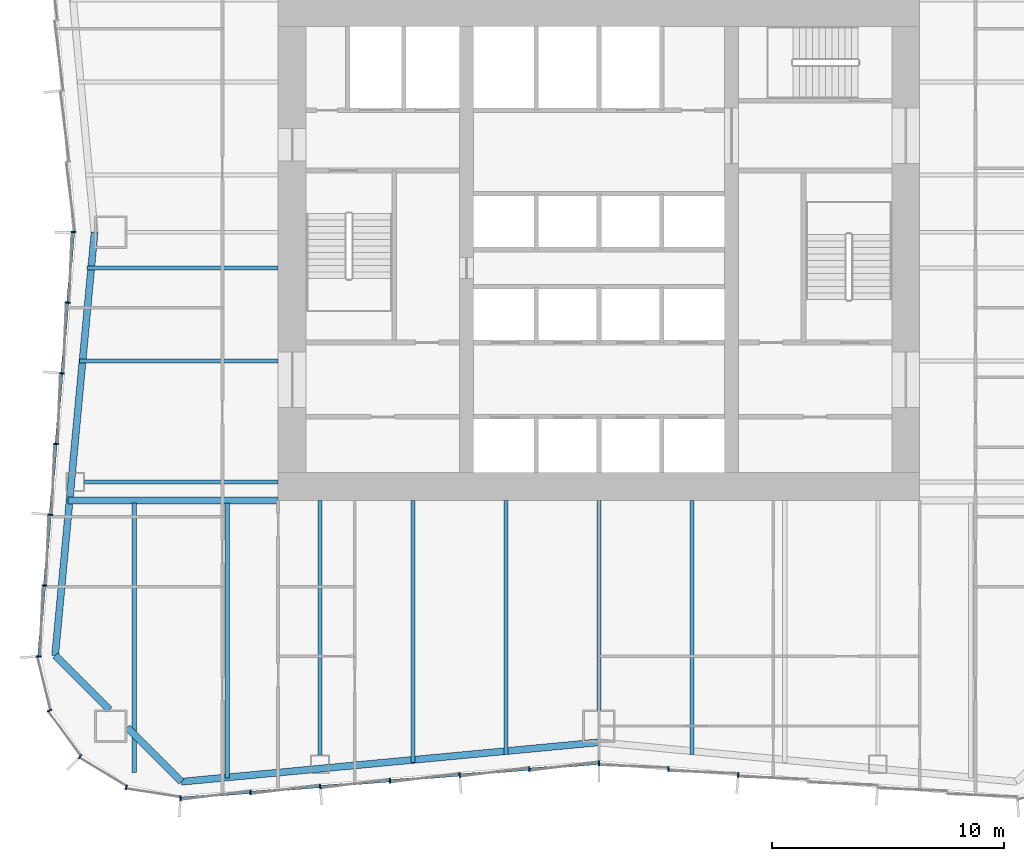
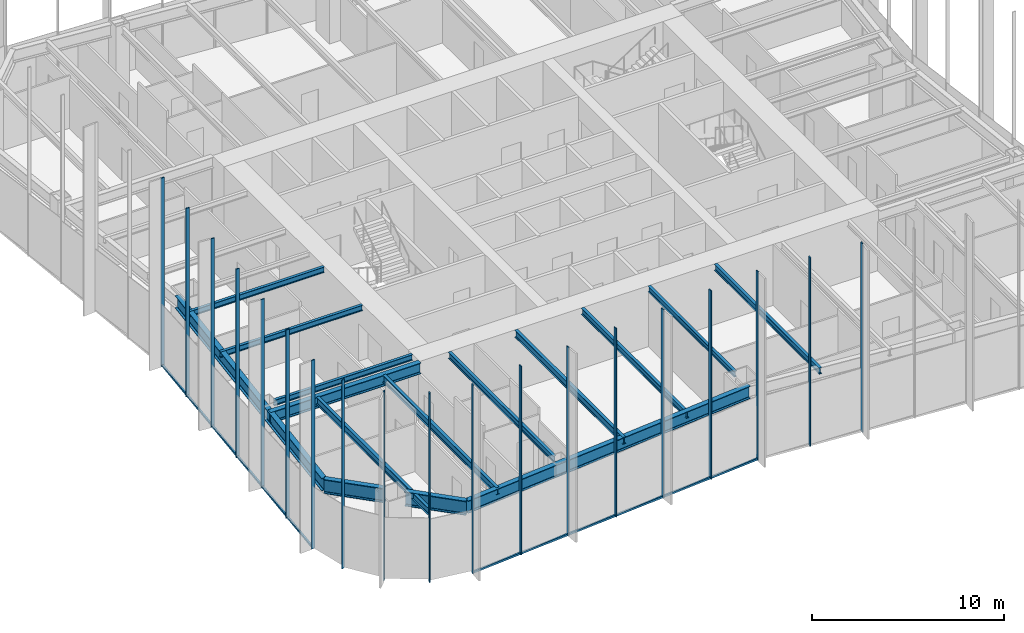
# One storey, part 2 of 13: 21 members, 15 beams, 3 elements without a shape of their own.
"""IFC4 building model written with IfcOpenShell, lengths in metres."""

from ifc_helpers import new_model, si_unit, direction, frame, origin, origin_2d, place, context, subcontext, project, spatial, rectangle, i_section, extrude, material, material_profile, profile_set, type_object, element, aggregate, save


model = new_model("IFC4")

# Units and contexts
model_context = context("Model", 3, precision=1e-05, world=origin(), true_north=direction((0.0, 1.0)))
body_context = subcontext(model_context, "Body", "Model", "MODEL_VIEW")
ifc_project = project(units=[si_unit("LENGTHUNIT", "METRE"), si_unit("AREAUNIT", "SQUARE_METRE"), si_unit("VOLUMEUNIT", "CUBIC_METRE"), si_unit("PLANEANGLEUNIT", "RADIAN"), si_unit("MASSUNIT", "GRAM", prefix="KILO")], contexts=[model_context])

# Site, building, storey
site_placement = place(None, origin())
site = spatial("IfcSite", under=ifc_project, at=site_placement, CompositionType="ELEMENT")
building_placement = place(site_placement, origin())
building = spatial("IfcBuilding", under=site, at=building_placement, Name="Verdant Reach Tower", CompositionType="ELEMENT")
storey_placement = place(building_placement, frame((0.0, 0.0, 82.0)))
storey = spatial("IfcBuildingStorey", under=building, at=storey_placement, Name="L18", CompositionType="ELEMENT", Elevation=82.0)

# Curtain wall, members
ifc_material_1 = material(Name="Anodised aluminium", Category="aluminium")
curtain_wall_type = type_object("IfcCurtainWallType", Name="EN-CW SYSTEM Z1", PredefinedType="NOTDEFINED", material=ifc_material_1)
curtain_wall_1_placement = place(storey_placement, origin())
curtain_wall_1 = element("IfcCurtainWall", 1, at=curtain_wall_1_placement, inside=storey, type_object=curtain_wall_type, Name="Curtain wall west, L18", PredefinedType="NOTDEFINED")
ifc_material_profile_1 = material_profile(ifc_material_1, rectangle(XDim=0.2060546875, YDim=0.06201171875, at=origin_2d()), Name="Mullion 62x206")
ifc_profile_set_1 = profile_set([ifc_material_profile_1], Name="Anodised aluminium")
member_type_1 = type_object("IfcMemberType", Name="EN-MULLION Z1", PredefinedType="MULLION", material=ifc_profile_set_1)
member_1_placement = place(storey_placement, frame((-22.60302734375, 28.75, -0.35009765625), z_axis=(0.0, 0.0, 1.0), x_axis=(-1.0, 0.0, 0.0)))
member_1 = element("IfcMember", 2, at=member_1_placement, type_object=member_type_1, Name="Mullion west face part 2 1, L18", PredefinedType="MULLION", context=body_context, shape_type="SweptSolid", body=[
    extrude(rectangle(XDim=0.2060546875, YDim=0.06201171875, at=origin_2d()), origin(), (0.0, 0.0, 1.0), 12.0),
])
member_2_placement = place(storey_placement, frame((-22.8525390625, 25.716796875, -0.35009765625), z_axis=(0.0, 0.0, 1.0), x_axis=(-0.996639273542, 0.081915556724, 0.0)))
member_2 = element("IfcMember", 3, at=member_2_placement, type_object=member_type_1, Name="Mullion west face part 2 2, L18", PredefinedType="MULLION", context=body_context, shape_type="SweptSolid", body=[
    extrude(rectangle(XDim=0.2060546875, YDim=0.06201171875, at=origin_2d()), origin(), (0.0, 0.0, 1.0), 12.0),
])
member_3_placement = place(storey_placement, frame((-23.1025390625, 22.675048828125, -0.35009765625), z_axis=(0.0, 0.0, 1.0), x_axis=(-0.996639273542, 0.081915556724, 0.0)))
member_3 = element("IfcMember", 4, at=member_3_placement, type_object=member_type_1, Name="Mullion west face part 2 3, L18", PredefinedType="MULLION", context=body_context, shape_type="SweptSolid", body=[
    extrude(rectangle(XDim=0.2060546875, YDim=0.06201171875, at=origin_2d()), origin(), (0.0, 0.0, 1.0), 12.0),
])
member_4_placement = place(storey_placement, frame((-23.3525390625, 19.633544921875, -0.35009765625), z_axis=(0.0, 0.0, 1.0), x_axis=(-0.996639273542, 0.081915556724, 0.0)))
member_4 = element("IfcMember", 5, at=member_4_placement, type_object=member_type_1, Name="Mullion west face part 2 4, L18", PredefinedType="MULLION", context=body_context, shape_type="SweptSolid", body=[
    extrude(rectangle(XDim=0.2060546875, YDim=0.06201171875, at=origin_2d()), origin(), (0.0, 0.0, 1.0), 12.0),
])
member_5_placement = place(storey_placement, frame((-23.6025390625, 16.591796875, -0.35009765625), z_axis=(0.0, 0.0, 1.0), x_axis=(-0.996639273542, 0.081915556724, 0.0)))
member_5 = element("IfcMember", 6, at=member_5_placement, type_object=member_type_1, Name="Mullion west face part 2 5, L18", PredefinedType="MULLION", context=body_context, shape_type="SweptSolid", body=[
    extrude(rectangle(XDim=0.2060546875, YDim=0.06201171875, at=origin_2d()), origin(), (0.0, 0.0, 1.0), 12.0),
])
member_6_placement = place(storey_placement, frame((-23.8525390625, 13.550048828125, -0.35009765625), z_axis=(0.0, 0.0, 1.0), x_axis=(-0.996639273542, 0.081915556724, 0.0)))
member_6 = element("IfcMember", 7, at=member_6_placement, type_object=member_type_1, Name="Mullion west face part 2 6, L18", PredefinedType="MULLION", context=body_context, shape_type="SweptSolid", body=[
    extrude(rectangle(XDim=0.2060546875, YDim=0.06201171875, at=origin_2d()), origin(), (0.0, 0.0, 1.0), 12.0),
])

curtain_wall_2_placement = place(storey_placement, origin())
curtain_wall_2 = element("IfcCurtainWall", 8, at=curtain_wall_2_placement, inside=storey, type_object=curtain_wall_type, Name="Curtain wall south-west corner, L18", PredefinedType="NOTDEFINED")
member_7_placement = place(storey_placement, frame((-24.102783203125, 10.494140625, -0.35009765625), z_axis=(0.0, 0.0, 1.0), x_axis=(-0.998366452275, -0.057135164055, 0.0)))
member_7 = element("IfcMember", 9, at=member_7_placement, type_object=member_type_1, Name="Mullion south-west corner 1, L18", PredefinedType="MULLION", context=body_context, shape_type="SweptSolid", body=[
    extrude(rectangle(XDim=0.2060546875, YDim=0.06201171875, at=origin_2d()), origin(), (0.0, 0.0, 1.0), 12.0),
])
member_8_placement = place(storey_placement, frame((-23.638427734375, 8.16455078125, -0.35009765625), z_axis=(0.0, 0.0, 1.0), x_axis=(-0.923875215753, -0.382693853776, 0.0)))
member_8 = element("IfcMember", 10, at=member_8_placement, type_object=member_type_1, Name="Mullion south-west corner 2, L18", PredefinedType="MULLION", context=body_context, shape_type="SweptSolid", body=[
    extrude(rectangle(XDim=0.2060546875, YDim=0.06201171875, at=origin_2d()), origin(), (0.0, 0.0, 1.0), 12.0),
])
member_9_placement = place(storey_placement, frame((-22.3154296875, 6.1845703125, -0.35009765625), z_axis=(0.0, 0.0, 1.0), x_axis=(-0.707106781187, -0.707106781187, 0.0)))
member_9 = element("IfcMember", 11, at=member_9_placement, type_object=member_type_1, Name="Mullion south-west corner 3, L18", PredefinedType="MULLION", context=body_context, shape_type="SweptSolid", body=[
    extrude(rectangle(XDim=0.2060546875, YDim=0.06201171875, at=origin_2d()), origin(), (0.0, 0.0, 1.0), 12.0),
])
member_10_placement = place(storey_placement, frame((-20.33544921875, 4.861572265625, -0.35009765625), z_axis=(0.0, 0.0, 1.0), x_axis=(-0.382693853776, -0.923875215753, 0.0)))
member_10 = element("IfcMember", 12, at=member_10_placement, type_object=member_type_1, Name="Mullion south-west corner 4, L18", PredefinedType="MULLION", context=body_context, shape_type="SweptSolid", body=[
    extrude(rectangle(XDim=0.2060546875, YDim=0.06201171875, at=origin_2d()), origin(), (0.0, 0.0, 1.0), 12.0),
])
aggregate(curtain_wall_2, [member_7, member_8, member_9, member_10])

curtain_wall_3_placement = place(storey_placement, origin())
curtain_wall_3 = element("IfcCurtainWall", 13, at=curtain_wall_3_placement, inside=storey, type_object=curtain_wall_type, Name="Curtain wall south, L18", PredefinedType="NOTDEFINED")
member_11_placement = place(storey_placement, frame((-18.005859375, 4.397216796875, -0.35009765625), z_axis=(0.0, 0.0, 1.0), x_axis=(-0.056569187765, -0.998398681387, 0.0)))
member_11 = element("IfcMember", 14, at=member_11_placement, type_object=member_type_1, Name="Mullion south face part 1 1, L18", PredefinedType="MULLION", context=body_context, shape_type="SweptSolid", body=[
    extrude(rectangle(XDim=0.2060546875, YDim=0.06201171875, at=origin_2d()), origin(), (0.0, 0.0, 1.0), 12.0),
])
member_12_placement = place(storey_placement, frame((-14.991455078125, 4.6474609375, -0.35009765625), z_axis=(0.0, 0.0, 1.0), x_axis=(0.083045479859, -0.996545758244, 0.0)))
member_12 = element("IfcMember", 15, at=member_12_placement, type_object=member_type_1, Name="Mullion south face part 1 2, L18", PredefinedType="MULLION", context=body_context, shape_type="SweptSolid", body=[
    extrude(rectangle(XDim=0.2060546875, YDim=0.06201171875, at=origin_2d()), origin(), (0.0, 0.0, 1.0), 12.0),
])
member_13_placement = place(storey_placement, frame((-11.991455078125, 4.8974609375, -0.35009765625), z_axis=(0.0, 0.0, 1.0), x_axis=(0.083045479859, -0.996545758244, 0.0)))
member_13 = element("IfcMember", 16, at=member_13_placement, type_object=member_type_1, Name="Mullion south face part 1 3, L18", PredefinedType="MULLION", context=body_context, shape_type="SweptSolid", body=[
    extrude(rectangle(XDim=0.2060546875, YDim=0.06201171875, at=origin_2d()), origin(), (0.0, 0.0, 1.0), 12.0),
])
member_14_placement = place(storey_placement, frame((-8.991455078125, 5.1474609375, -0.35009765625), z_axis=(0.0, 0.0, 1.0), x_axis=(0.083045479859, -0.996545758244, 0.0)))
member_14 = element("IfcMember", 17, at=member_14_placement, type_object=member_type_1, Name="Mullion south face part 1 4, L18", PredefinedType="MULLION", context=body_context, shape_type="SweptSolid", body=[
    extrude(rectangle(XDim=0.2060546875, YDim=0.06201171875, at=origin_2d()), origin(), (0.0, 0.0, 1.0), 12.0),
])
member_15_placement = place(storey_placement, frame((-5.991455078125, 5.3974609375, -0.35009765625), z_axis=(0.0, 0.0, 1.0), x_axis=(0.083045479859, -0.996545758244, 0.0)))
member_15 = element("IfcMember", 18, at=member_15_placement, type_object=member_type_1, Name="Mullion south face part 1 5, L18", PredefinedType="MULLION", context=body_context, shape_type="SweptSolid", body=[
    extrude(rectangle(XDim=0.2060546875, YDim=0.06201171875, at=origin_2d()), origin(), (0.0, 0.0, 1.0), 12.0),
])
member_16_placement = place(storey_placement, frame((-2.991455078125, 5.6474609375, -0.35009765625), z_axis=(0.0, 0.0, 1.0), x_axis=(0.083045479859, -0.996545758244, 0.0)))
member_16 = element("IfcMember", 19, at=member_16_placement, type_object=member_type_1, Name="Mullion south face part 1 6, L18", PredefinedType="MULLION", context=body_context, shape_type="SweptSolid", body=[
    extrude(rectangle(XDim=0.2060546875, YDim=0.06201171875, at=origin_2d()), origin(), (0.0, 0.0, 1.0), 12.0),
])
member_17_placement = place(storey_placement, frame((0.0, 5.89697265625, -0.35009765625), z_axis=(0.0, 0.0, 1.0), x_axis=(0.0, -1.0, 0.0)))
member_17 = element("IfcMember", 20, at=member_17_placement, type_object=member_type_1, Name="Mullion south face part 2 1, L18", PredefinedType="MULLION", context=body_context, shape_type="SweptSolid", body=[
    extrude(rectangle(XDim=0.2060546875, YDim=0.06201171875, at=origin_2d()), origin(), (0.0, 0.0, 1.0), 12.0),
])
member_18_placement = place(storey_placement, frame((2.991455078125, 5.6474609375, -0.35009765625), z_axis=(0.0, 0.0, 1.0), x_axis=(-0.083045479859, -0.996545758244, 0.0)))
member_18 = element("IfcMember", 21, at=member_18_placement, type_object=member_type_1, Name="Mullion south face part 2 2, L18", PredefinedType="MULLION", context=body_context, shape_type="SweptSolid", body=[
    extrude(rectangle(XDim=0.2060546875, YDim=0.06201171875, at=origin_2d()), origin(), (0.0, 0.0, 1.0), 12.0),
])
member_19_placement = place(storey_placement, frame((5.991455078125, 5.3974609375, -0.35009765625), z_axis=(0.0, 0.0, 1.0), x_axis=(-0.083045479859, -0.996545758244, 0.0)))
member_19 = element("IfcMember", 22, at=member_19_placement, type_object=member_type_1, Name="Mullion south face part 2 3, L18", PredefinedType="MULLION", context=body_context, shape_type="SweptSolid", body=[
    extrude(rectangle(XDim=0.2060546875, YDim=0.06201171875, at=origin_2d()), origin(), (0.0, 0.0, 1.0), 12.0),
])

# Member
ifc_material_profile_2 = material_profile(ifc_material_1, rectangle(XDim=0.10009765625, YDim=0.1220703125, at=origin_2d()), Name="Transom 122x100")
ifc_profile_set_2 = profile_set([ifc_material_profile_2], Name="Anodised aluminium")
member_type_2 = type_object("IfcMemberType", Name="EN-TRANSOM Z1", PredefinedType="USERDEFINED", material=ifc_profile_set_2)
member_20_placement = place(storey_placement, frame((-22.60546875, 28.718994140625, -0.2890625), z_axis=(-0.081886623329, -0.996641651207, 0.0), x_axis=(0.996641651207, -0.081886623329, 0.0)))
member_20 = element("IfcMember", 23, at=member_20_placement, type_object=member_type_2, Name="Transom west face part 2 1.1, L18", ObjectType="TRANSOM", PredefinedType="USERDEFINED", context=body_context, shape_type="SweptSolid", body=[
    extrude(rectangle(XDim=0.10009765625, YDim=0.1220703125, at=origin_2d()), origin(), (0.0, 0.0, 1.0), 18.25537109375),
])

aggregate(curtain_wall_1, [member_1, member_2, member_3, member_4, member_5, member_6, member_20])

member_21_placement = place(storey_placement, frame((-17.974853515625, 4.399658203125, -0.2890625), z_axis=(0.996547815143, 0.083020793384, 0.0), x_axis=(-0.083020793384, 0.996547815143, 0.0)))
member_21 = element("IfcMember", 24, at=member_21_placement, type_object=member_type_2, Name="Transom south face part 1 1.1, L18", ObjectType="TRANSOM", PredefinedType="USERDEFINED", context=body_context, shape_type="SweptSolid", body=[
    extrude(rectangle(XDim=0.10009765625, YDim=0.1220703125, at=origin_2d()), origin(), (0.0, 0.0, 1.0), 18.006103515625),
])

aggregate(curtain_wall_3, [member_11, member_12, member_13, member_14, member_15, member_16, member_21, member_17, member_18, member_19])

# Beams
ifc_material_2 = material(Name="Steel S355", Category="steel")
ifc_material_profile_3 = material_profile(ifc_material_2, i_section(OverallWidth=0.300048828125, OverallDepth=0.699951171875, WebThickness=0.01708984375, FlangeThickness=0.031982421875, FilletRadius=0.027099609375, at=origin_2d()), Name="HEB 700")
ifc_profile_set_3 = profile_set([ifc_material_profile_3], Name="Steel S355")
beam_type_1 = type_object("IfcBeamType", Name="ST-BEAM-HEB700", PredefinedType="BEAM", material=ifc_profile_set_3)
beam_1_placement = place(storey_placement, frame((-13.800048828125, 17.199951171875, 3.52001953125), z_axis=(-1.0, 0.0, 0.0), x_axis=(0.0, -1.0, 0.0)))
element("IfcBeam", 25, at=beam_1_placement, inside=storey, type_object=beam_type_1, Name="Trimmer beam, L18", PredefinedType="BEAM", context=body_context, shape_type="SweptSolid", body=[
    extrude(i_section(OverallWidth=0.300048828125, OverallDepth=0.699951171875, WebThickness=0.01708984375, FlangeThickness=0.031982421875, FilletRadius=0.027099609375, at=origin_2d()), origin(), (0.0, 0.0, 1.0), 9.04736328125),
])
ifc_material_profile_4 = material_profile(ifc_material_2, i_section(OverallWidth=0.169921875, OverallDepth=0.360107421875, WebThickness=0.008056640625, FlangeThickness=0.0126953125, FilletRadius=0.01806640625, at=origin_2d()), Name="IPE 360")
ifc_profile_set_4 = profile_set([ifc_material_profile_4], Name="Steel S355")
beam_type_2 = type_object("IfcBeamType", Name="ST-JOIST-IPE360", PredefinedType="JOIST", material=ifc_profile_set_4)
beam_2_placement = place(storey_placement, frame((0.0, 17.199951171875, 3.68994140625), z_axis=(0.0, -1.0, 0.0), x_axis=(1.0, 0.0, 0.0)))
element("IfcBeam", 26, at=beam_2_placement, inside=storey, type_object=beam_type_2, Name="Floor joist, L18", PredefinedType="JOIST", context=body_context, shape_type="SweptSolid", body=[
    extrude(i_section(OverallWidth=0.169921875, OverallDepth=0.360107421875, WebThickness=0.008056640625, FlangeThickness=0.0126953125, FilletRadius=0.01806640625, at=origin_2d()), origin(), (0.0, 0.0, 1.0), 9.0),
])
beam_3_placement = place(storey_placement, frame((-13.800048828125, 18.0, 3.68994140625), z_axis=(-1.0, 0.0, 0.0), x_axis=(0.0, -1.0, 0.0)))
element("IfcBeam", 27, at=beam_3_placement, inside=storey, type_object=beam_type_2, Name="Floor joist, L18", PredefinedType="JOIST", context=body_context, shape_type="SweptSolid", body=[
    extrude(i_section(OverallWidth=0.169921875, OverallDepth=0.360107421875, WebThickness=0.008056640625, FlangeThickness=0.0126953125, FilletRadius=0.01806640625, at=origin_2d()), origin(), (0.0, 0.0, 1.0), 8.33349609375),
])
beam_4_placement = place(storey_placement, frame((-13.800048828125, 23.199951171875, 3.68994140625), z_axis=(-1.0, 0.0, 0.0), x_axis=(0.0, -1.0, 0.0)))
element("IfcBeam", 28, at=beam_4_placement, inside=storey, type_object=beam_type_2, Name="Floor joist, L18", PredefinedType="JOIST", context=body_context, shape_type="SweptSolid", body=[
    extrude(i_section(OverallWidth=0.169921875, OverallDepth=0.360107421875, WebThickness=0.008056640625, FlangeThickness=0.0126953125, FilletRadius=0.01806640625, at=origin_2d()), origin(), (0.0, 0.0, 1.0), 8.553955078125),
])
beam_5_placement = place(storey_placement, frame((-13.800048828125, 27.199951171875, 3.68994140625), z_axis=(-1.0, 0.0, 0.0), x_axis=(0.0, -1.0, 0.0)))
element("IfcBeam", 29, at=beam_5_placement, inside=storey, type_object=beam_type_2, Name="Floor joist, L18", PredefinedType="JOIST", context=body_context, shape_type="SweptSolid", body=[
    extrude(i_section(OverallWidth=0.169921875, OverallDepth=0.360107421875, WebThickness=0.008056640625, FlangeThickness=0.0126953125, FilletRadius=0.01806640625, at=origin_2d()), origin(), (0.0, 0.0, 1.0), 8.225341796875),
])
ifc_material_profile_5 = material_profile(ifc_material_2, i_section(OverallWidth=0.179931640625, OverallDepth=0.39990234375, WebThickness=0.008544921875, FlangeThickness=0.013427734375, FilletRadius=0.02099609375, at=origin_2d()), Name="IPE 400")
ifc_profile_set_5 = profile_set([ifc_material_profile_5], Name="Steel S355")
beam_type_3 = type_object("IfcBeamType", Name="ST-JOIST-IPE400", PredefinedType="JOIST", material=ifc_profile_set_5)
beam_6_placement = place(storey_placement, frame((-12.0, 17.199951171875, 3.669921875), z_axis=(0.0, -1.0, 0.0), x_axis=(1.0, 0.0, 0.0)))
element("IfcBeam", 30, at=beam_6_placement, inside=storey, type_object=beam_type_3, Name="Floor joist, L18", PredefinedType="JOIST", context=body_context, shape_type="SweptSolid", body=[
    extrude(i_section(OverallWidth=0.179931640625, OverallDepth=0.39990234375, WebThickness=0.008544921875, FlangeThickness=0.013427734375, FilletRadius=0.02099609375, at=origin_2d()), origin(), (0.0, 0.0, 1.0), 10.949951171875),
])
for number, where, z_axis, x_axis, name in (
    (31, (-4.0, 17.199951171875, 3.669921875), (0.0, -1.0, 0.0), (1.0, 0.0, 0.0), "Floor joist, L18"),
    (32, (4.0, 17.199951171875, 3.669921875), (0.0, -1.0, 0.0), (1.0, 0.0, 0.0), "Floor joist, L18"),
):
    element("IfcBeam", number, at=place(storey_placement, frame(where, z_axis=z_axis, x_axis=x_axis)), inside=storey, type_object=beam_type_3, Name=name, PredefinedType="JOIST", context=body_context, shape_type="SweptSolid", body=[
        extrude(i_section(OverallWidth=0.179931640625, OverallDepth=0.39990234375, WebThickness=0.008544921875, FlangeThickness=0.013427734375, FilletRadius=0.02099609375, at=origin_2d()), origin(), (0.0, 0.0, 1.0), 10.93115234375),
    ])
ifc_material_profile_6 = material_profile(ifc_material_2, i_section(OverallWidth=0.18994140625, OverallDepth=0.449951171875, WebThickness=0.009521484375, FlangeThickness=0.0146484375, FilletRadius=0.02099609375, at=origin_2d()), Name="IPE 450")
ifc_profile_set_6 = profile_set([ifc_material_profile_6], Name="Steel S355")
beam_type_4 = type_object("IfcBeamType", Name="ST-JOIST-IPE450", PredefinedType="JOIST", material=ifc_profile_set_6)
beam_7_placement = place(storey_placement, frame((-20.0, 17.10009765625, 3.64501953125), z_axis=(0.0, -1.0, 0.0), x_axis=(1.0, 0.0, 0.0)))
element("IfcBeam", 33, at=beam_7_placement, inside=storey, type_object=beam_type_4, Name="Floor joist, L18", PredefinedType="JOIST", context=body_context, shape_type="SweptSolid", body=[
    extrude(i_section(OverallWidth=0.18994140625, OverallDepth=0.449951171875, WebThickness=0.009521484375, FlangeThickness=0.0146484375, FilletRadius=0.02099609375, at=origin_2d()), origin(), (0.0, 0.0, 1.0), 11.590576171875),
])
beam_8_placement = place(storey_placement, frame((-16.0, 17.10009765625, 3.64501953125), z_axis=(0.0, -1.0, 0.0), x_axis=(1.0, 0.0, 0.0)))
element("IfcBeam", 34, at=beam_8_placement, inside=storey, type_object=beam_type_4, Name="Floor joist, L18", PredefinedType="JOIST", context=body_context, shape_type="SweptSolid", body=[
    extrude(i_section(OverallWidth=0.18994140625, OverallDepth=0.449951171875, WebThickness=0.009521484375, FlangeThickness=0.0146484375, FilletRadius=0.02099609375, at=origin_2d()), origin(), (0.0, 0.0, 1.0), 11.831298828125),
])
beam_9_placement = place(storey_placement, frame((-8.0, 17.199951171875, 3.64501953125), z_axis=(0.0, -1.0, 0.0), x_axis=(1.0, 0.0, 0.0)))
element("IfcBeam", 35, at=beam_9_placement, inside=storey, type_object=beam_type_4, Name="Floor joist, L18", PredefinedType="JOIST", context=body_context, shape_type="SweptSolid", body=[
    extrude(i_section(OverallWidth=0.18994140625, OverallDepth=0.449951171875, WebThickness=0.009521484375, FlangeThickness=0.0146484375, FilletRadius=0.02099609375, at=origin_2d()), origin(), (0.0, 0.0, 1.0), 11.2646484375),
])
ifc_material_profile_7 = material_profile(ifc_material_2, i_section(OverallWidth=0.300048828125, OverallDepth=0.800048828125, WebThickness=0.017578125, FlangeThickness=0.032958984375, FilletRadius=0.030029296875, at=origin_2d()), Name="HEB 800")
ifc_profile_set_7 = profile_set([ifc_material_profile_7], Name="Steel S355")
beam_type_5 = type_object("IfcBeamType", Name="ST-SPANDREL-HEB800", PredefinedType="SPANDREL", material=ifc_profile_set_7)
beam_10_placement = place(storey_placement, frame((0.0, 6.800048828125, 3.469970703125), z_axis=(-0.995578571765, -0.093932462137, 0.0), x_axis=(0.093932462137, -0.995578571765, 0.0)))
element("IfcBeam", 36, at=beam_10_placement, inside=storey, type_object=beam_type_5, Name="Edge beam, L18", PredefinedType="SPANDREL", context=body_context, shape_type="SweptSolid", body=[
    extrude(i_section(OverallWidth=0.300048828125, OverallDepth=0.800048828125, WebThickness=0.017578125, FlangeThickness=0.032958984375, FilletRadius=0.030029296875, at=origin_2d()), origin(), (0.0, 0.0, 1.0), 18.045654296875),
])
beam_11_placement = place(storey_placement, frame((-23.39501953125, 10.53466796875, 3.469970703125), z_axis=(0.092656907618, 0.995698095544, 0.0), x_axis=(-0.995698095544, 0.092656907618, 0.0)))
element("IfcBeam", 37, at=beam_11_placement, inside=storey, type_object=beam_type_5, Name="Edge beam, L18", PredefinedType="SPANDREL", context=body_context, shape_type="SweptSolid", body=[
    extrude(i_section(OverallWidth=0.300048828125, OverallDepth=0.800048828125, WebThickness=0.017578125, FlangeThickness=0.032958984375, FilletRadius=0.030029296875, at=origin_2d()), origin(), (0.0, 0.0, 1.0), 18.2939453125),
])
ifc_material_profile_8 = material_profile(ifc_material_2, i_section(OverallWidth=0.302001953125, OverallDepth=0.909912109375, WebThickness=0.02099609375, FlangeThickness=0.0400390625, FilletRadius=0.030029296875, at=origin_2d()), Name="HEM 900")
ifc_profile_set_8 = profile_set([ifc_material_profile_8], Name="Steel S355")
beam_type_6 = type_object("IfcBeamType", Name="ST-SPANDREL-HEM900", PredefinedType="SPANDREL", material=ifc_profile_set_8)
beam_12_placement = place(storey_placement, frame((-17.9658203125, 5.10498046875, 3.4150390625), z_axis=(-0.707106781187, 0.707106781187, 0.0), x_axis=(-0.707106781187, -0.707106781187, 0.0)))
element("IfcBeam", 38, at=beam_12_placement, inside=storey, type_object=beam_type_6, Name="Edge beam, L18", PredefinedType="SPANDREL", context=body_context, shape_type="SweptSolid", body=[
    extrude(i_section(OverallWidth=0.302001953125, OverallDepth=0.909912109375, WebThickness=0.02099609375, FlangeThickness=0.0400390625, FilletRadius=0.030029296875, at=origin_2d()), origin(), (0.0, 0.0, 1.0), 3.301025390625),
])
beam_13_placement = place(storey_placement, frame((-21.060546875, 8.199951171875, 3.4150390625), z_axis=(-0.707069807316, 0.707143753123, 0.0), x_axis=(-0.707143753123, -0.707069807316, 0.0)))
element("IfcBeam", 39, at=beam_13_placement, inside=storey, type_object=beam_type_6, Name="Edge beam, L18", PredefinedType="SPANDREL", context=body_context, shape_type="SweptSolid", body=[
    extrude(i_section(OverallWidth=0.302001953125, OverallDepth=0.909912109375, WebThickness=0.02099609375, FlangeThickness=0.0400390625, FilletRadius=0.030029296875, at=origin_2d()), origin(), (0.0, 0.0, 1.0), 3.301513671875),
])

save(model, "model.ifc")
